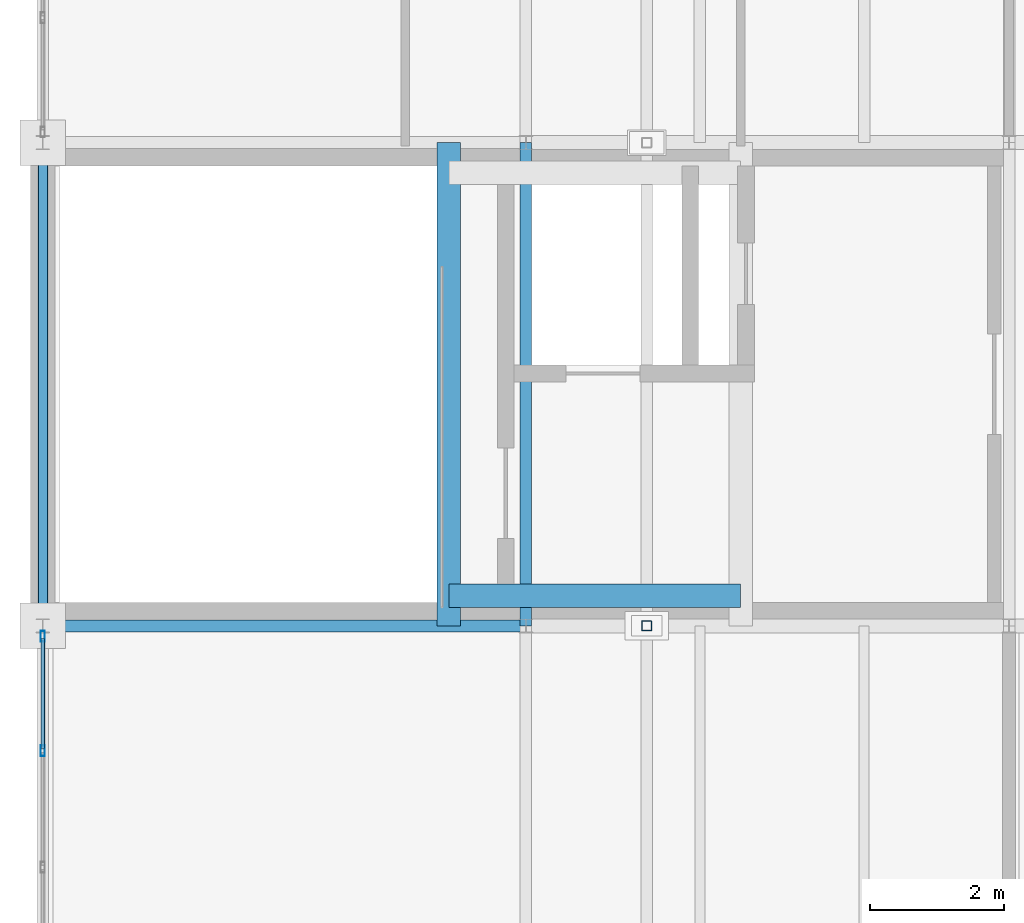
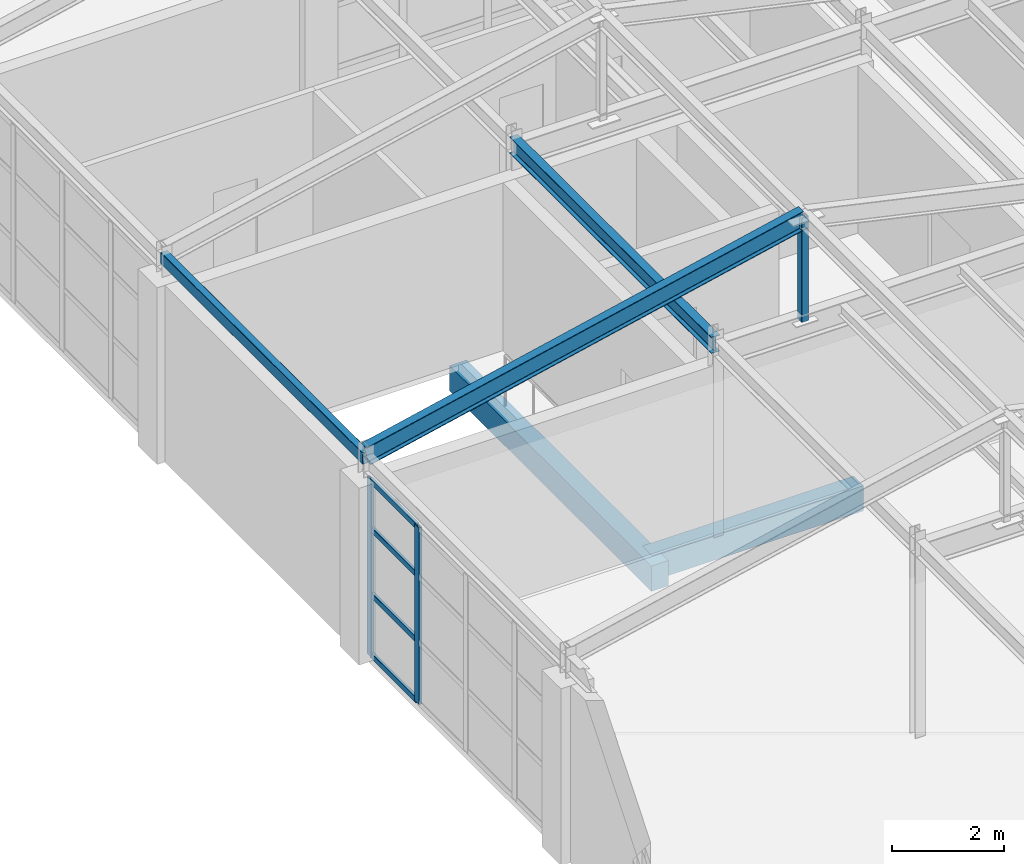
# One storey, part 26 of 43: 7 members, 5 beams, 1 element without a shape of its own.
"""IFC4 building model written with IfcOpenShell, lengths in metres."""

from ifc_helpers import new_model, si_unit, direction, frame, origin, origin_2d, place, context, subcontext, project, spatial, rectangle, hollow_rectangle, i_section, extrude, material, layer, layer_set, material_profile, profile_set, type_object, element, aggregate, save


model = new_model("IFC4")

# Units and contexts
model_context = context("Model", 3, precision=1e-05, world=origin(), true_north=direction((0.0, 1.0)))
body_context = subcontext(model_context, "Body", "Model", "MODEL_VIEW")
ifc_project = project(units=[si_unit("LENGTHUNIT", "METRE"), si_unit("AREAUNIT", "SQUARE_METRE"), si_unit("VOLUMEUNIT", "CUBIC_METRE"), si_unit("PLANEANGLEUNIT", "RADIAN"), si_unit("MASSUNIT", "GRAM", prefix="KILO")], contexts=[model_context])

# Site, building, storey
site_placement = place(None, origin())
site = spatial("IfcSite", under=ifc_project, at=site_placement, CompositionType="ELEMENT")
building_placement = place(site_placement, origin())
building = spatial("IfcBuilding", under=site, at=building_placement, Name="Kemerveld Promenade Tramway Depot", CompositionType="ELEMENT")
storey_placement = place(building_placement, frame((0.0, 0.0, 18.89990234375)))
storey = spatial("IfcBuildingStorey", under=building, at=storey_placement, Name="L04", CompositionType="ELEMENT", Elevation=18.89990234375)

# Beams
ifc_material_1 = material(Name="Steel S355", Category="steel")
ifc_material_profile_1 = material_profile(ifc_material_1, i_section(OverallWidth=0.1787109375, OverallDepth=0.409423828125, WebThickness=0.0087890625, FlangeThickness=0.014404296875, FilletRadius=0.01025390625, at=origin_2d()), Name="406x178x67 UB")
ifc_profile_set_1 = profile_set([ifc_material_profile_1], Name="Steel S355")
beam_type_1 = type_object("IfcBeamType", Name="BM-G07", PredefinedType="BEAM", material=ifc_profile_set_1)
beam_1_placement = place(storey_placement, frame((0.0, 43.199951171875, 4.275390625), z_axis=(0.976187060184, 0.0, 0.216930457819), x_axis=(0.0, 1.0, 0.0)))
element("IfcBeam", 1, at=beam_1_placement, inside=storey, type_object=beam_type_1, Name="RAF-V5-G-W", PredefinedType="BEAM", context=body_context, shape_type="SweptSolid", body=[
    extrude(i_section(OverallWidth=0.1787109375, OverallDepth=0.409423828125, WebThickness=0.0087890625, FlangeThickness=0.014404296875, FilletRadius=0.01025390625, at=origin_2d()), origin(), (0.0, 0.0, 1.0), 9.219482421875),
])
ifc_material_profile_2 = material_profile(ifc_material_1, i_section(OverallWidth=0.172119140625, OverallDepth=0.35791015625, WebThickness=0.008056640625, FlangeThickness=0.012939453125, FilletRadius=0.01025390625, at=origin_2d()), Name="356x171x57 UB")
ifc_profile_set_2 = profile_set([ifc_material_profile_2], Name="Steel S355")
beam_type_2 = type_object("IfcBeamType", Name="BM-G08", PredefinedType="BEAM", material=ifc_profile_set_2)
beam_2_placement = place(storey_placement, frame((7.199951171875, 43.199951171875, 4.14111328125), z_axis=(0.0, 1.0, 0.0), x_axis=(-1.0, 0.0, 0.0)))
element("IfcBeam", 2, at=beam_2_placement, inside=storey, type_object=beam_type_2, Name="BMY-L04-02-G-H", PredefinedType="BEAM", context=body_context, shape_type="SweptSolid", body=[
    extrude(i_section(OverallWidth=0.172119140625, OverallDepth=0.35791015625, WebThickness=0.008056640625, FlangeThickness=0.012939453125, FilletRadius=0.01025390625, at=origin_2d()), origin(), (0.0, 0.0, 1.0), 7.199951171875),
])
ifc_material_2 = material(Name="Concrete C40/50", Category="concrete")
ifc_material_profile_3 = material_profile(ifc_material_2, rectangle(XDim=0.35009765625, YDim=0.550048828125, at=origin_2d()), Name="RC-BM-350x550")
ifc_profile_set_3 = profile_set([ifc_material_profile_3], Name="Concrete C40/50")
beam_type_3 = type_object("IfcBeamType", Name="BM-RC3", PredefinedType="BEAM", material=ifc_profile_set_3)
beam_3_placement = place(storey_placement, frame((6.050048828125, 43.199951171875, -0.5), z_axis=(0.0, 1.0, 0.0), x_axis=(-1.0, 0.0, 0.0)))
element("IfcBeam", 3, at=beam_3_placement, inside=storey, type_object=beam_type_3, Name="BM-CORE-C2-L04-W", PredefinedType="BEAM", context=body_context, shape_type="SweptSolid", body=[
    extrude(rectangle(XDim=0.35009765625, YDim=0.550048828125, at=origin_2d()), origin(), (0.0, 0.0, 1.0), 7.199951171875),
])
beam_4_placement = place(storey_placement, frame((6.050048828125, 43.64990234375, -0.5), z_axis=(1.0, 0.0, 0.0), x_axis=(0.0, 1.0, 0.0)))
element("IfcBeam", 4, at=beam_4_placement, inside=storey, type_object=beam_type_3, Name="BM-COREX-C2-L04-S", PredefinedType="BEAM", context=body_context, shape_type="SweptSolid", body=[
    extrude(rectangle(XDim=0.35009765625, YDim=0.550048828125, at=origin_2d()), origin(), (0.0, 0.0, 1.0), 4.349853515625),
])
ifc_material_profile_4 = material_profile(ifc_material_1, hollow_rectangle(XDim=0.14990234375, YDim=0.25, WallThickness=0.010009765625, InnerFilletRadius=0.0048828125, OuterFilletRadius=0.014892578125, at=origin_2d()), Name="250x150x10.0 RHS")
ifc_profile_set_4 = profile_set([ifc_material_profile_4], Name="Steel S355")
beam_type_4 = type_object("IfcBeamType", Name="BM-SP2", PredefinedType="SPANDREL", material=ifc_profile_set_4)
beam_5_placement = place(storey_placement, frame((0.0, 43.199951171875, 4.195068359375), z_axis=(0.0, 1.0, 0.0), x_axis=(-1.0, 0.0, 0.0)))
element("IfcBeam", 5, at=beam_5_placement, inside=storey, type_object=beam_type_4, Name="BMY-L04-01-G-H", PredefinedType="SPANDREL", context=body_context, shape_type="SweptSolid", body=[
    extrude(hollow_rectangle(XDim=0.14990234375, YDim=0.25, WallThickness=0.010009765625, InnerFilletRadius=0.0048828125, OuterFilletRadius=0.014892578125, at=origin_2d()), origin(), (0.0, 0.0, 1.0), 7.199951171875),
])

# Curtain wall, members
ifc_material_3 = material(Name="Bronze anodised aluminium and solar glass", Category="aluminium")
ifc_layer = layer(ifc_material_3, 0.159912109375)
ifc_layer_set = layer_set([ifc_layer], Name="CW-SYS-09")
curtain_wall_type = type_object("IfcCurtainWallType", Name="CW-SYS-09", PredefinedType="USERDEFINED", material=ifc_layer_set)
curtain_wall_placement = place(storey_placement, origin())
curtain_wall = element("IfcCurtainWall", 6, at=curtain_wall_placement, inside=storey, type_object=curtain_wall_type, Name="CW-L04-V5W-06", ObjectType="GLAZED_CURTAIN_WALL", PredefinedType="USERDEFINED")
ifc_material_4 = material(Name="Bronze anodised aluminium", Category="aluminium")
ifc_material_profile_5 = material_profile(ifc_material_4, hollow_rectangle(XDim=0.06494140625, YDim=0.159912109375, WallThickness=0.00390625, InnerFilletRadius=0.001953125, OuterFilletRadius=0.00390625, at=origin_2d()), Name="CW-MUL-160x65")
ifc_profile_set_5 = profile_set([ifc_material_profile_5], Name="Bronze anodised aluminium")
member_type_1 = type_object("IfcMemberType", Name="CW-MUL-A", PredefinedType="MULLION", material=ifc_profile_set_5)
member_1_placement = place(storey_placement, frame((0.0, 41.337646484375, 0.0), z_axis=(0.0, 0.0, 1.0), x_axis=(-1.0, 0.0, 0.0)))
member_1 = element("IfcMember", 7, at=member_1_placement, type_object=member_type_1, Name="CW09 mullion 4", PredefinedType="MULLION", context=body_context, shape_type="SweptSolid", body=[
    extrude(hollow_rectangle(XDim=0.06494140625, YDim=0.159912109375, WallThickness=0.00390625, InnerFilletRadius=0.001953125, OuterFilletRadius=0.00390625, at=origin_2d()), origin(), (0.0, 0.0, 1.0), 3.85009765625),
])
member_2_placement = place(storey_placement, frame((0.0, 43.042724609375, 0.0), z_axis=(0.0, 0.0, 1.0), x_axis=(-1.0, 0.0, 0.0)))
member_2 = element("IfcMember", 8, at=member_2_placement, type_object=member_type_1, Name="CW09 mullion 5", PredefinedType="MULLION", context=body_context, shape_type="SweptSolid", body=[
    extrude(hollow_rectangle(XDim=0.06494140625, YDim=0.159912109375, WallThickness=0.00390625, InnerFilletRadius=0.001953125, OuterFilletRadius=0.00390625, at=origin_2d()), origin(), (0.0, 0.0, 1.0), 3.85009765625),
])
ifc_material_profile_6 = material_profile(ifc_material_4, hollow_rectangle(XDim=0.06005859375, YDim=0.1201171875, WallThickness=0.00390625, InnerFilletRadius=0.001953125, OuterFilletRadius=0.00390625, at=origin_2d()), Name="CW-TRN-120x60")
ifc_profile_set_6 = profile_set([ifc_material_profile_6], Name="Bronze anodised aluminium")
member_type_2 = type_object("IfcMemberType", Name="CW-TRN-A", PredefinedType="USERDEFINED", material=ifc_profile_set_6)
member_3_placement = place(storey_placement, frame((0.0, 41.3701171875, 0.030029296875), z_axis=(0.0, 1.0, 0.0), x_axis=(-1.0, 0.0, 0.0)))
member_3 = element("IfcMember", 9, at=member_3_placement, type_object=member_type_2, Name="CW09 transom 4.1", ObjectType="TRANSOM", PredefinedType="USERDEFINED", context=body_context, shape_type="SweptSolid", body=[
    extrude(hollow_rectangle(XDim=0.06005859375, YDim=0.1201171875, WallThickness=0.00390625, InnerFilletRadius=0.001953125, OuterFilletRadius=0.00390625, at=origin_2d()), origin(), (0.0, 0.0, 1.0), 1.64013671875),
])
member_4_placement = place(storey_placement, frame((0.0, 41.3701171875, 1.34716796875), z_axis=(0.0, 1.0, 0.0), x_axis=(-1.0, 0.0, 0.0)))
member_4 = element("IfcMember", 10, at=member_4_placement, type_object=member_type_2, Name="CW09 transom 4.2", ObjectType="TRANSOM", PredefinedType="USERDEFINED", context=body_context, shape_type="SweptSolid", body=[
    extrude(hollow_rectangle(XDim=0.06005859375, YDim=0.1201171875, WallThickness=0.00390625, InnerFilletRadius=0.001953125, OuterFilletRadius=0.00390625, at=origin_2d()), origin(), (0.0, 0.0, 1.0), 1.64013671875),
])
member_5_placement = place(storey_placement, frame((0.0, 41.3701171875, 2.772216796875), z_axis=(0.0, 1.0, 0.0), x_axis=(-1.0, 0.0, 0.0)))
member_5 = element("IfcMember", 11, at=member_5_placement, type_object=member_type_2, Name="CW09 transom 4.3", ObjectType="TRANSOM", PredefinedType="USERDEFINED", context=body_context, shape_type="SweptSolid", body=[
    extrude(hollow_rectangle(XDim=0.06005859375, YDim=0.1201171875, WallThickness=0.00390625, InnerFilletRadius=0.001953125, OuterFilletRadius=0.00390625, at=origin_2d()), origin(), (0.0, 0.0, 1.0), 1.64013671875),
])
member_6_placement = place(storey_placement, frame((0.0, 41.3701171875, 3.820068359375), z_axis=(0.0, 1.0, 0.0), x_axis=(-1.0, 0.0, 0.0)))
member_6 = element("IfcMember", 12, at=member_6_placement, type_object=member_type_2, Name="CW09 transom 4.4", ObjectType="TRANSOM", PredefinedType="USERDEFINED", context=body_context, shape_type="SweptSolid", body=[
    extrude(hollow_rectangle(XDim=0.06005859375, YDim=0.1201171875, WallThickness=0.00390625, InnerFilletRadius=0.001953125, OuterFilletRadius=0.00390625, at=origin_2d()), origin(), (0.0, 0.0, 1.0), 1.64013671875),
])
aggregate(curtain_wall, [member_1, member_2, member_3, member_4, member_5, member_6])

# Member
ifc_material_profile_7 = material_profile(ifc_material_1, hollow_rectangle(XDim=0.14990234375, YDim=0.14990234375, WallThickness=0.008056640625, InnerFilletRadius=0.00390625, OuterFilletRadius=0.011962890625, at=origin_2d()), Name="150x150x8.0 SHS")
ifc_profile_set_7 = profile_set([ifc_material_profile_7], Name="Steel S355")
member_type_3 = type_object("IfcMemberType", Name="MB-TP2", PredefinedType="POST", material=ifc_profile_set_7)
member_7_placement = place(storey_placement, frame((9.0, 43.199951171875, 4.050048828125), z_axis=(0.0, 0.0, 1.0), x_axis=(1.0, 0.0, 0.0)))
element("IfcMember", 13, at=member_7_placement, inside=storey, type_object=member_type_3, Name="POST-RDG-V5-G", PredefinedType="POST", context=body_context, shape_type="SweptSolid", body=[
    extrude(hollow_rectangle(XDim=0.14990234375, YDim=0.14990234375, WallThickness=0.008056640625, InnerFilletRadius=0.00390625, OuterFilletRadius=0.011962890625, at=origin_2d()), origin(), (0.0, 0.0, 1.0), 2.265380859375),
])

save(model, "model.ifc")
